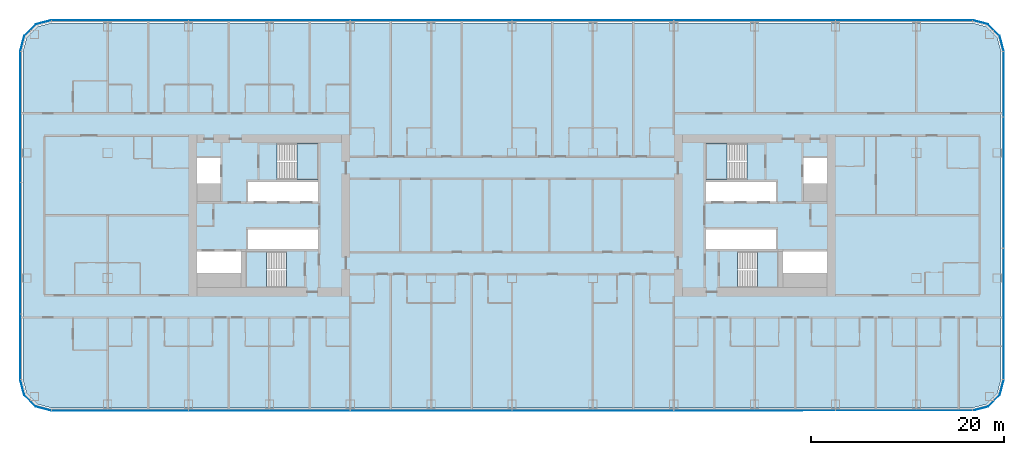
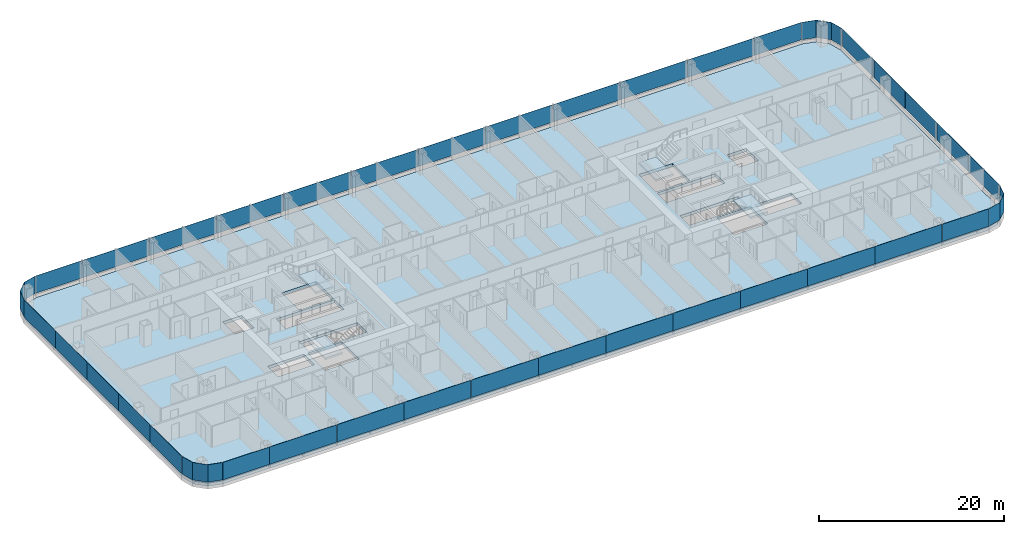
# One storey, part 12 of 29: 38 plates, 5 slabs, 12 elements without a shape of their own.
"""IFC4 building model written with IfcOpenShell, lengths in metres."""

from ifc_helpers import new_model, si_unit, direction, frame, origin, origin_2d, place, context, subcontext, project, spatial, polyline, rectangle, outline, extrude, material, layer, layer_set, type_object, element, aggregate, save


model = new_model("IFC4")

# Units and contexts
model_context = context("Model", 3, precision=1e-05, world=origin(), true_north=direction((0.0, 1.0)))
body_context = subcontext(model_context, "Body", "Model", "MODEL_VIEW")
ifc_project = project(units=[si_unit("LENGTHUNIT", "METRE"), si_unit("AREAUNIT", "SQUARE_METRE"), si_unit("VOLUMEUNIT", "CUBIC_METRE"), si_unit("PLANEANGLEUNIT", "RADIAN"), si_unit("MASSUNIT", "GRAM", prefix="KILO")], contexts=[model_context])

# Site, building, storey
site_placement = place(None, origin())
site = spatial("IfcSite", under=ifc_project, at=site_placement, CompositionType="ELEMENT")
building_placement = place(site_placement, origin())
building = spatial("IfcBuilding", under=site, at=building_placement, Name="Hakoniwa Tower and Hamabe Station Hall", CompositionType="ELEMENT")
storey_placement = place(building_placement, frame((0.0, 0.0, 23.0)))
storey = spatial("IfcBuildingStorey", under=building, at=storey_placement, Name="L05", CompositionType="ELEMENT", Elevation=23.0)

# Stair, slab
ifc_material_1 = material(Name="Concrete C40", Category="concrete")
stair_type = type_object("IfcStairType", Name="ESCAPE STAIR 1800", PredefinedType="HALF_TURN_STAIR", material=ifc_material_1)
stair_1_placement = place(storey_placement, origin())
stair_1 = element("IfcStair", 1, at=stair_1_placement, inside=storey, type_object=stair_type, Name="Escape stair ST-1 L05", PredefinedType="HALF_TURN_STAIR")
ifc_material_2 = material(Name="Concrete C40", Category="concrete")
ifc_layer_1 = layer(ifc_material_2, 0.25)
ifc_layer_set_1 = layer_set([ifc_layer_1], Name="CORE STAIR LANDING 250")
slab_type_1 = type_object("IfcSlabType", Name="CORE STAIR LANDING 250", PredefinedType="LANDING", material=ifc_layer_set_1)
slab_1_placement = place(storey_placement, frame((0.0, 0.0, 1.35009765625)))
slab_1 = element("IfcSlab", 2, at=slab_1_placement, type_object=slab_type_1, Name="ST-1 landing 1", PredefinedType="LANDING", context=body_context, shape_type="SweptSolid", body=[
    extrude(outline(polyline([(-22.320068359375, 3.75), (-20.14990234375, 3.75), (-20.14990234375, 7.5), (-22.320068359375, 7.5), (-22.320068359375, 3.75)])), origin(), (0.0, 0.0, 1.0), 0.25),
])
aggregate(stair_1, [slab_1])

stair_2_placement = place(storey_placement, origin())
stair_2 = element("IfcStair", 3, at=stair_2_placement, inside=storey, type_object=stair_type, Name="Escape stair ST-2 L05", PredefinedType="HALF_TURN_STAIR")
slab_2_placement = place(storey_placement, frame((0.0, 0.0, 1.35009765625)))
slab_2 = element("IfcSlab", 4, at=slab_2_placement, type_object=slab_type_1, Name="ST-2 landing 1", PredefinedType="LANDING", context=body_context, shape_type="SweptSolid", body=[
    extrude(outline(polyline([(-25.47998046875, -7.5), (-27.64990234375, -7.5), (-27.64990234375, -3.75), (-25.47998046875, -3.75), (-25.47998046875, -7.5)])), origin(), (0.0, 0.0, 1.0), 0.25),
])
aggregate(stair_2, [slab_2])

stair_3_placement = place(storey_placement, origin())
stair_3 = element("IfcStair", 5, at=stair_3_placement, inside=storey, type_object=stair_type, Name="Escape stair ST-3 L05", PredefinedType="HALF_TURN_STAIR")
slab_3_placement = place(storey_placement, frame((0.0, 0.0, 1.35009765625)))
slab_3 = element("IfcSlab", 6, at=slab_3_placement, type_object=slab_type_1, Name="ST-3 landing 1", PredefinedType="LANDING", context=body_context, shape_type="SweptSolid", body=[
    extrude(outline(polyline([(22.320068359375, 3.75), (20.14990234375, 3.75), (20.14990234375, 7.5), (22.320068359375, 7.5), (22.320068359375, 3.75)])), origin(), (0.0, 0.0, 1.0), 0.25),
])
aggregate(stair_3, [slab_3])

stair_4_placement = place(storey_placement, origin())
stair_4 = element("IfcStair", 7, at=stair_4_placement, inside=storey, type_object=stair_type, Name="Escape stair ST-4 L05", PredefinedType="HALF_TURN_STAIR")
slab_4_placement = place(storey_placement, frame((0.0, 0.0, 1.35009765625)))
slab_4 = element("IfcSlab", 8, at=slab_4_placement, type_object=slab_type_1, Name="ST-4 landing 1", PredefinedType="LANDING", context=body_context, shape_type="SweptSolid", body=[
    extrude(outline(polyline([(25.47998046875, -7.5), (27.64990234375, -7.5), (27.64990234375, -3.75), (25.47998046875, -3.75), (25.47998046875, -7.5)])), origin(), (0.0, 0.0, 1.0), 0.25),
])
aggregate(stair_4, [slab_4])

# Curtain wall, plates
ifc_material_3 = material(Name="Dark low-e laminated glass", Category="glass")
ifc_layer_2 = layer(ifc_material_3, 0.199951171875)
ifc_layer_set_2 = layer_set([ifc_layer_2], Name="CW-1 UNITISED GUEST")
curtain_wall_type = type_object("IfcCurtainWallType", Name="CW-1 UNITISED GUEST", PredefinedType="NOTDEFINED", material=ifc_layer_set_2)
curtain_wall_1_placement = place(storey_placement, origin())
curtain_wall_1 = element("IfcCurtainWall", 9, at=curtain_wall_1_placement, inside=storey, type_object=curtain_wall_type, Name="CW-1 curtain wall", PredefinedType="NOTDEFINED")
ifc_material_4 = material(Name="Dark low-e laminated glass", Category="glass")
ifc_layer_3 = layer(ifc_material_4, 0.028076171875)
ifc_layer_set_3 = layer_set([ifc_layer_3], Name="CW-1 GLASS UNIT")
plate_type = type_object("IfcPlateType", Name="CW-1 GLASS UNIT", PredefinedType="CURTAIN_PANEL", material=ifc_layer_set_3)
plate_1_placement = place(storey_placement, frame((51.0859375, -13.631591796875, 0.35009765625), z_axis=(0.0, 0.0, 1.0), x_axis=(0.0, 1.0, 0.0)))
plate_1 = element("IfcPlate", 10, at=plate_1_placement, type_object=plate_type, Name="CW-1 glass unit", PredefinedType="CURTAIN_PANEL", context=body_context, shape_type="SweptSolid", body=[
    extrude(rectangle(XDim=6.7958984375, YDim=0.028076171875, at=origin_2d()), origin(), (0.0, 0.0, 1.0), 2.300048828125),
])
plate_2_placement = place(storey_placement, frame((51.0859375, -6.81591796875, 0.35009765625), z_axis=(0.0, 0.0, 1.0), x_axis=(0.0, 1.0, 0.0)))
plate_2 = element("IfcPlate", 11, at=plate_2_placement, type_object=plate_type, Name="CW-1 glass unit", PredefinedType="CURTAIN_PANEL", context=body_context, shape_type="SweptSolid", body=[
    extrude(rectangle(XDim=6.7958984375, YDim=0.028076171875, at=origin_2d()), origin(), (0.0, 0.0, 1.0), 2.300048828125),
])
plate_3_placement = place(storey_placement, frame((51.0859375, 0.0, 0.35009765625), z_axis=(0.0, 0.0, 1.0), x_axis=(0.0, 1.0, 0.0)))
plate_3 = element("IfcPlate", 12, at=plate_3_placement, type_object=plate_type, Name="CW-1 glass unit", PredefinedType="CURTAIN_PANEL", context=body_context, shape_type="SweptSolid", body=[
    extrude(rectangle(XDim=6.7958984375, YDim=0.028076171875, at=origin_2d()), origin(), (0.0, 0.0, 1.0), 2.300048828125),
])
plate_4_placement = place(storey_placement, frame((51.0859375, 6.81591796875, 0.35009765625), z_axis=(0.0, 0.0, 1.0), x_axis=(0.0, 1.0, 0.0)))
plate_4 = element("IfcPlate", 13, at=plate_4_placement, type_object=plate_type, Name="CW-1 glass unit", PredefinedType="CURTAIN_PANEL", context=body_context, shape_type="SweptSolid", body=[
    extrude(rectangle(XDim=6.7958984375, YDim=0.028076171875, at=origin_2d()), origin(), (0.0, 0.0, 1.0), 2.300048828125),
])
plate_5_placement = place(storey_placement, frame((51.0859375, 13.631591796875, 0.35009765625), z_axis=(0.0, 0.0, 1.0), x_axis=(0.0, 1.0, 0.0)))
plate_5 = element("IfcPlate", 14, at=plate_5_placement, type_object=plate_type, Name="CW-1 glass unit", PredefinedType="CURTAIN_PANEL", context=body_context, shape_type="SweptSolid", body=[
    extrude(rectangle(XDim=6.7958984375, YDim=0.028076171875, at=origin_2d()), origin(), (0.0, 0.0, 1.0), 2.300048828125),
])
aggregate(curtain_wall_1, [plate_1, plate_2, plate_3, plate_4, plate_5])

# Curtain wall, plate
curtain_wall_2_placement = place(storey_placement, origin())
curtain_wall_2 = element("IfcCurtainWall", 15, at=curtain_wall_2_placement, inside=storey, type_object=curtain_wall_type, Name="CW-1 curtain wall", PredefinedType="NOTDEFINED")
plate_6_placement = place(storey_placement, frame((0.0, 0.0, 0.35009765625)))
plate_6 = element("IfcPlate", 16, at=plate_6_placement, type_object=plate_type, Name="CW-1 curved corner unit", PredefinedType="CURTAIN_PANEL", context=body_context, shape_type="SweptSolid", body=[
    extrude(outline(polyline([(51.089599609375, 17.078125), (50.6669921875, 18.6552734375), (49.455322265625, 19.866943359375), (47.878173828125, 20.28955078125), (47.870849609375, 20.2626953125), (49.44091796875, 19.842041015625), (50.641845703125, 18.640869140625), (51.0625, 17.07080078125), (51.089599609375, 17.078125)])), origin(), (0.0, 0.0, 1.0), 2.2998046875),
])
aggregate(curtain_wall_2, [plate_6])

# Curtain wall, plates
curtain_wall_3_placement = place(storey_placement, origin())
curtain_wall_3 = element("IfcCurtainWall", 17, at=curtain_wall_3_placement, inside=storey, type_object=curtain_wall_type, Name="CW-1 curtain wall", PredefinedType="NOTDEFINED")
plate_7_placement = place(storey_placement, frame((44.919677734375, 20.285888671875, 0.35009765625), z_axis=(0.0, 0.0, 1.0), x_axis=(-1.0, 0.0, 0.0)))
plate_7 = element("IfcPlate", 18, at=plate_7_placement, type_object=plate_type, Name="CW-1 glass unit", PredefinedType="CURTAIN_PANEL", context=body_context, shape_type="SweptSolid", body=[
    extrude(rectangle(XDim=5.819580078125, YDim=0.028076171875, at=origin_2d()), origin(), (0.0, 0.0, 1.0), 2.300048828125),
])
plate_8_placement = place(storey_placement, frame((37.800048828125, 20.285888671875, 0.35009765625), z_axis=(0.0, 0.0, 1.0), x_axis=(-1.0, 0.0, 0.0)))
plate_8 = element("IfcPlate", 19, at=plate_8_placement, type_object=plate_type, Name="CW-1 glass unit", PredefinedType="CURTAIN_PANEL", context=body_context, shape_type="SweptSolid", body=[
    extrude(rectangle(XDim=8.3798828125, YDim=0.028076171875, at=origin_2d()), origin(), (0.0, 0.0, 1.0), 2.300048828125),
])
plate_9_placement = place(storey_placement, frame((29.39990234375, 20.285888671875, 0.35009765625), z_axis=(0.0, 0.0, 1.0), x_axis=(-1.0, 0.0, 0.0)))
plate_9 = element("IfcPlate", 20, at=plate_9_placement, type_object=plate_type, Name="CW-1 glass unit", PredefinedType="CURTAIN_PANEL", context=body_context, shape_type="SweptSolid", body=[
    extrude(rectangle(XDim=8.3798828125, YDim=0.028076171875, at=origin_2d()), origin(), (0.0, 0.0, 1.0), 2.300048828125),
])
plate_10_placement = place(storey_placement, frame((21.0, 20.285888671875, 0.35009765625), z_axis=(0.0, 0.0, 1.0), x_axis=(-1.0, 0.0, 0.0)))
plate_10 = element("IfcPlate", 21, at=plate_10_placement, type_object=plate_type, Name="CW-1 glass unit", PredefinedType="CURTAIN_PANEL", context=body_context, shape_type="SweptSolid", body=[
    extrude(rectangle(XDim=8.3798828125, YDim=0.028076171875, at=origin_2d()), origin(), (0.0, 0.0, 1.0), 2.300048828125),
])
plate_11_placement = place(storey_placement, frame((12.60009765625, 20.285888671875, 0.35009765625), z_axis=(0.0, 0.0, 1.0), x_axis=(-1.0, 0.0, 0.0)))
plate_11 = element("IfcPlate", 22, at=plate_11_placement, type_object=plate_type, Name="CW-1 glass unit", PredefinedType="CURTAIN_PANEL", context=body_context, shape_type="SweptSolid", body=[
    extrude(rectangle(XDim=8.3798828125, YDim=0.028076171875, at=origin_2d()), origin(), (0.0, 0.0, 1.0), 2.300048828125),
])
plate_12_placement = place(storey_placement, frame((4.199951171875, 20.285888671875, 0.35009765625), z_axis=(0.0, 0.0, 1.0), x_axis=(-1.0, 0.0, 0.0)))
plate_12 = element("IfcPlate", 23, at=plate_12_placement, type_object=plate_type, Name="CW-1 glass unit", PredefinedType="CURTAIN_PANEL", context=body_context, shape_type="SweptSolid", body=[
    extrude(rectangle(XDim=8.3798828125, YDim=0.028076171875, at=origin_2d()), origin(), (0.0, 0.0, 1.0), 2.300048828125),
])
plate_13_placement = place(storey_placement, frame((-4.199951171875, 20.285888671875, 0.35009765625), z_axis=(0.0, 0.0, 1.0), x_axis=(-1.0, 0.0, 0.0)))
plate_13 = element("IfcPlate", 24, at=plate_13_placement, type_object=plate_type, Name="CW-1 glass unit", PredefinedType="CURTAIN_PANEL", context=body_context, shape_type="SweptSolid", body=[
    extrude(rectangle(XDim=8.3798828125, YDim=0.028076171875, at=origin_2d()), origin(), (0.0, 0.0, 1.0), 2.300048828125),
])
plate_14_placement = place(storey_placement, frame((-12.60009765625, 20.285888671875, 0.35009765625), z_axis=(0.0, 0.0, 1.0), x_axis=(-1.0, 0.0, 0.0)))
plate_14 = element("IfcPlate", 25, at=plate_14_placement, type_object=plate_type, Name="CW-1 glass unit", PredefinedType="CURTAIN_PANEL", context=body_context, shape_type="SweptSolid", body=[
    extrude(rectangle(XDim=8.3798828125, YDim=0.028076171875, at=origin_2d()), origin(), (0.0, 0.0, 1.0), 2.300048828125),
])
plate_15_placement = place(storey_placement, frame((-21.0, 20.285888671875, 0.35009765625), z_axis=(0.0, 0.0, 1.0), x_axis=(-1.0, 0.0, 0.0)))
plate_15 = element("IfcPlate", 26, at=plate_15_placement, type_object=plate_type, Name="CW-1 glass unit", PredefinedType="CURTAIN_PANEL", context=body_context, shape_type="SweptSolid", body=[
    extrude(rectangle(XDim=8.3798828125, YDim=0.028076171875, at=origin_2d()), origin(), (0.0, 0.0, 1.0), 2.300048828125),
])
plate_16_placement = place(storey_placement, frame((-29.39990234375, 20.285888671875, 0.35009765625), z_axis=(0.0, 0.0, 1.0), x_axis=(-1.0, 0.0, 0.0)))
plate_16 = element("IfcPlate", 27, at=plate_16_placement, type_object=plate_type, Name="CW-1 glass unit", PredefinedType="CURTAIN_PANEL", context=body_context, shape_type="SweptSolid", body=[
    extrude(rectangle(XDim=8.3798828125, YDim=0.028076171875, at=origin_2d()), origin(), (0.0, 0.0, 1.0), 2.300048828125),
])
plate_17_placement = place(storey_placement, frame((-37.800048828125, 20.285888671875, 0.35009765625), z_axis=(0.0, 0.0, 1.0), x_axis=(-1.0, 0.0, 0.0)))
plate_17 = element("IfcPlate", 28, at=plate_17_placement, type_object=plate_type, Name="CW-1 glass unit", PredefinedType="CURTAIN_PANEL", context=body_context, shape_type="SweptSolid", body=[
    extrude(rectangle(XDim=8.3798828125, YDim=0.028076171875, at=origin_2d()), origin(), (0.0, 0.0, 1.0), 2.300048828125),
])
plate_18_placement = place(storey_placement, frame((-44.919677734375, 20.285888671875, 0.35009765625), z_axis=(0.0, 0.0, 1.0), x_axis=(-1.0, 0.0, 0.0)))
plate_18 = element("IfcPlate", 29, at=plate_18_placement, type_object=plate_type, Name="CW-1 glass unit", PredefinedType="CURTAIN_PANEL", context=body_context, shape_type="SweptSolid", body=[
    extrude(rectangle(XDim=5.819580078125, YDim=0.028076171875, at=origin_2d()), origin(), (0.0, 0.0, 1.0), 2.300048828125),
])
aggregate(curtain_wall_3, [plate_7, plate_8, plate_9, plate_10, plate_11, plate_12, plate_13, plate_14, plate_15, plate_16, plate_17, plate_18])

# Curtain wall, plate
curtain_wall_4_placement = place(storey_placement, origin())
curtain_wall_4 = element("IfcCurtainWall", 30, at=curtain_wall_4_placement, inside=storey, type_object=curtain_wall_type, Name="CW-1 curtain wall", PredefinedType="NOTDEFINED")
plate_19_placement = place(storey_placement, frame((0.0, 0.0, 0.35009765625)))
plate_19 = element("IfcPlate", 31, at=plate_19_placement, type_object=plate_type, Name="CW-1 curved corner unit", PredefinedType="CURTAIN_PANEL", context=body_context, shape_type="SweptSolid", body=[
    extrude(outline(polyline([(-47.878173828125, 20.28955078125), (-49.455322265625, 19.866943359375), (-50.6669921875, 18.6552734375), (-51.089599609375, 17.078125), (-51.0625, 17.07080078125), (-50.641845703125, 18.640869140625), (-49.44091796875, 19.842041015625), (-47.870849609375, 20.2626953125), (-47.878173828125, 20.28955078125)])), origin(), (0.0, 0.0, 1.0), 2.2998046875),
])
aggregate(curtain_wall_4, [plate_19])

# Curtain wall, plates
curtain_wall_5_placement = place(storey_placement, origin())
curtain_wall_5 = element("IfcCurtainWall", 32, at=curtain_wall_5_placement, inside=storey, type_object=curtain_wall_type, Name="CW-1 curtain wall", PredefinedType="NOTDEFINED")
plate_20_placement = place(storey_placement, frame((-51.0859375, 13.631591796875, 0.35009765625), z_axis=(0.0, 0.0, 1.0), x_axis=(0.0, -1.0, 0.0)))
plate_20 = element("IfcPlate", 33, at=plate_20_placement, type_object=plate_type, Name="CW-1 glass unit", PredefinedType="CURTAIN_PANEL", context=body_context, shape_type="SweptSolid", body=[
    extrude(rectangle(XDim=6.7958984375, YDim=0.028076171875, at=origin_2d()), origin(), (0.0, 0.0, 1.0), 2.300048828125),
])
plate_21_placement = place(storey_placement, frame((-51.0859375, 6.81591796875, 0.35009765625), z_axis=(0.0, 0.0, 1.0), x_axis=(0.0, -1.0, 0.0)))
plate_21 = element("IfcPlate", 34, at=plate_21_placement, type_object=plate_type, Name="CW-1 glass unit", PredefinedType="CURTAIN_PANEL", context=body_context, shape_type="SweptSolid", body=[
    extrude(rectangle(XDim=6.7958984375, YDim=0.028076171875, at=origin_2d()), origin(), (0.0, 0.0, 1.0), 2.300048828125),
])
plate_22_placement = place(storey_placement, frame((-51.0859375, 0.0, 0.35009765625), z_axis=(0.0, 0.0, 1.0), x_axis=(0.0, -1.0, 0.0)))
plate_22 = element("IfcPlate", 35, at=plate_22_placement, type_object=plate_type, Name="CW-1 glass unit", PredefinedType="CURTAIN_PANEL", context=body_context, shape_type="SweptSolid", body=[
    extrude(rectangle(XDim=6.7958984375, YDim=0.028076171875, at=origin_2d()), origin(), (0.0, 0.0, 1.0), 2.300048828125),
])
plate_23_placement = place(storey_placement, frame((-51.0859375, -6.81591796875, 0.35009765625), z_axis=(0.0, 0.0, 1.0), x_axis=(0.0, -1.0, 0.0)))
plate_23 = element("IfcPlate", 36, at=plate_23_placement, type_object=plate_type, Name="CW-1 glass unit", PredefinedType="CURTAIN_PANEL", context=body_context, shape_type="SweptSolid", body=[
    extrude(rectangle(XDim=6.7958984375, YDim=0.028076171875, at=origin_2d()), origin(), (0.0, 0.0, 1.0), 2.300048828125),
])
plate_24_placement = place(storey_placement, frame((-51.0859375, -13.631591796875, 0.35009765625), z_axis=(0.0, 0.0, 1.0), x_axis=(0.0, -1.0, 0.0)))
plate_24 = element("IfcPlate", 37, at=plate_24_placement, type_object=plate_type, Name="CW-1 glass unit", PredefinedType="CURTAIN_PANEL", context=body_context, shape_type="SweptSolid", body=[
    extrude(rectangle(XDim=6.7958984375, YDim=0.028076171875, at=origin_2d()), origin(), (0.0, 0.0, 1.0), 2.300048828125),
])
aggregate(curtain_wall_5, [plate_20, plate_21, plate_22, plate_23, plate_24])

# Curtain wall, plate
curtain_wall_6_placement = place(storey_placement, origin())
curtain_wall_6 = element("IfcCurtainWall", 38, at=curtain_wall_6_placement, inside=storey, type_object=curtain_wall_type, Name="CW-1 curtain wall", PredefinedType="NOTDEFINED")
plate_25_placement = place(storey_placement, frame((0.0, 0.0, 0.35009765625)))
plate_25 = element("IfcPlate", 39, at=plate_25_placement, type_object=plate_type, Name="CW-1 curved corner unit", PredefinedType="CURTAIN_PANEL", context=body_context, shape_type="SweptSolid", body=[
    extrude(outline(polyline([(-51.089599609375, -17.078125), (-50.6669921875, -18.6552734375), (-49.455322265625, -19.866943359375), (-47.878173828125, -20.28955078125), (-47.870849609375, -20.2626953125), (-49.44091796875, -19.842041015625), (-50.641845703125, -18.640869140625), (-51.0625, -17.07080078125), (-51.089599609375, -17.078125)])), origin(), (0.0, 0.0, 1.0), 2.2998046875),
])
aggregate(curtain_wall_6, [plate_25])

# Curtain wall, plates
curtain_wall_7_placement = place(storey_placement, origin())
curtain_wall_7 = element("IfcCurtainWall", 40, at=curtain_wall_7_placement, inside=storey, type_object=curtain_wall_type, Name="CW-1 curtain wall", PredefinedType="NOTDEFINED")
plate_26_placement = place(storey_placement, frame((-44.919677734375, -20.285888671875, 0.35009765625), z_axis=(0.0, 0.0, 1.0), x_axis=(1.0, 0.0, 0.0)))
plate_26 = element("IfcPlate", 41, at=plate_26_placement, type_object=plate_type, Name="CW-1 glass unit", PredefinedType="CURTAIN_PANEL", context=body_context, shape_type="SweptSolid", body=[
    extrude(rectangle(XDim=5.819580078125, YDim=0.028076171875, at=origin_2d()), origin(), (0.0, 0.0, 1.0), 2.300048828125),
])
plate_27_placement = place(storey_placement, frame((-37.800048828125, -20.285888671875, 0.35009765625), z_axis=(0.0, 0.0, 1.0), x_axis=(1.0, 0.0, 0.0)))
plate_27 = element("IfcPlate", 42, at=plate_27_placement, type_object=plate_type, Name="CW-1 glass unit", PredefinedType="CURTAIN_PANEL", context=body_context, shape_type="SweptSolid", body=[
    extrude(rectangle(XDim=8.3798828125, YDim=0.028076171875, at=origin_2d()), origin(), (0.0, 0.0, 1.0), 2.300048828125),
])
plate_28_placement = place(storey_placement, frame((-29.39990234375, -20.285888671875, 0.35009765625), z_axis=(0.0, 0.0, 1.0), x_axis=(1.0, 0.0, 0.0)))
plate_28 = element("IfcPlate", 43, at=plate_28_placement, type_object=plate_type, Name="CW-1 glass unit", PredefinedType="CURTAIN_PANEL", context=body_context, shape_type="SweptSolid", body=[
    extrude(rectangle(XDim=8.3798828125, YDim=0.028076171875, at=origin_2d()), origin(), (0.0, 0.0, 1.0), 2.300048828125),
])
plate_29_placement = place(storey_placement, frame((-21.0, -20.285888671875, 0.35009765625), z_axis=(0.0, 0.0, 1.0), x_axis=(1.0, 0.0, 0.0)))
plate_29 = element("IfcPlate", 44, at=plate_29_placement, type_object=plate_type, Name="CW-1 glass unit", PredefinedType="CURTAIN_PANEL", context=body_context, shape_type="SweptSolid", body=[
    extrude(rectangle(XDim=8.3798828125, YDim=0.028076171875, at=origin_2d()), origin(), (0.0, 0.0, 1.0), 2.300048828125),
])
plate_30_placement = place(storey_placement, frame((-12.60009765625, -20.285888671875, 0.35009765625), z_axis=(0.0, 0.0, 1.0), x_axis=(1.0, 0.0, 0.0)))
plate_30 = element("IfcPlate", 45, at=plate_30_placement, type_object=plate_type, Name="CW-1 glass unit", PredefinedType="CURTAIN_PANEL", context=body_context, shape_type="SweptSolid", body=[
    extrude(rectangle(XDim=8.3798828125, YDim=0.028076171875, at=origin_2d()), origin(), (0.0, 0.0, 1.0), 2.300048828125),
])
plate_31_placement = place(storey_placement, frame((-4.199951171875, -20.285888671875, 0.35009765625), z_axis=(0.0, 0.0, 1.0), x_axis=(1.0, 0.0, 0.0)))
plate_31 = element("IfcPlate", 46, at=plate_31_placement, type_object=plate_type, Name="CW-1 glass unit", PredefinedType="CURTAIN_PANEL", context=body_context, shape_type="SweptSolid", body=[
    extrude(rectangle(XDim=8.3798828125, YDim=0.028076171875, at=origin_2d()), origin(), (0.0, 0.0, 1.0), 2.300048828125),
])
plate_32_placement = place(storey_placement, frame((4.199951171875, -20.285888671875, 0.35009765625), z_axis=(0.0, 0.0, 1.0), x_axis=(1.0, 0.0, 0.0)))
plate_32 = element("IfcPlate", 47, at=plate_32_placement, type_object=plate_type, Name="CW-1 glass unit", PredefinedType="CURTAIN_PANEL", context=body_context, shape_type="SweptSolid", body=[
    extrude(rectangle(XDim=8.3798828125, YDim=0.028076171875, at=origin_2d()), origin(), (0.0, 0.0, 1.0), 2.300048828125),
])
plate_33_placement = place(storey_placement, frame((12.60009765625, -20.285888671875, 0.35009765625), z_axis=(0.0, 0.0, 1.0), x_axis=(1.0, 0.0, 0.0)))
plate_33 = element("IfcPlate", 48, at=plate_33_placement, type_object=plate_type, Name="CW-1 glass unit", PredefinedType="CURTAIN_PANEL", context=body_context, shape_type="SweptSolid", body=[
    extrude(rectangle(XDim=8.3798828125, YDim=0.028076171875, at=origin_2d()), origin(), (0.0, 0.0, 1.0), 2.300048828125),
])
plate_34_placement = place(storey_placement, frame((21.0, -20.285888671875, 0.35009765625), z_axis=(0.0, 0.0, 1.0), x_axis=(1.0, 0.0, 0.0)))
plate_34 = element("IfcPlate", 49, at=plate_34_placement, type_object=plate_type, Name="CW-1 glass unit", PredefinedType="CURTAIN_PANEL", context=body_context, shape_type="SweptSolid", body=[
    extrude(rectangle(XDim=8.3798828125, YDim=0.028076171875, at=origin_2d()), origin(), (0.0, 0.0, 1.0), 2.300048828125),
])
plate_35_placement = place(storey_placement, frame((29.39990234375, -20.285888671875, 0.35009765625), z_axis=(0.0, 0.0, 1.0), x_axis=(1.0, 0.0, 0.0)))
plate_35 = element("IfcPlate", 50, at=plate_35_placement, type_object=plate_type, Name="CW-1 glass unit", PredefinedType="CURTAIN_PANEL", context=body_context, shape_type="SweptSolid", body=[
    extrude(rectangle(XDim=8.3798828125, YDim=0.028076171875, at=origin_2d()), origin(), (0.0, 0.0, 1.0), 2.300048828125),
])
plate_36_placement = place(storey_placement, frame((37.800048828125, -20.285888671875, 0.35009765625), z_axis=(0.0, 0.0, 1.0), x_axis=(1.0, 0.0, 0.0)))
plate_36 = element("IfcPlate", 51, at=plate_36_placement, type_object=plate_type, Name="CW-1 glass unit", PredefinedType="CURTAIN_PANEL", context=body_context, shape_type="SweptSolid", body=[
    extrude(rectangle(XDim=8.3798828125, YDim=0.028076171875, at=origin_2d()), origin(), (0.0, 0.0, 1.0), 2.300048828125),
])
plate_37_placement = place(storey_placement, frame((44.919677734375, -20.285888671875, 0.35009765625), z_axis=(0.0, 0.0, 1.0), x_axis=(1.0, 0.0, 0.0)))
plate_37 = element("IfcPlate", 52, at=plate_37_placement, type_object=plate_type, Name="CW-1 glass unit", PredefinedType="CURTAIN_PANEL", context=body_context, shape_type="SweptSolid", body=[
    extrude(rectangle(XDim=5.819580078125, YDim=0.028076171875, at=origin_2d()), origin(), (0.0, 0.0, 1.0), 2.300048828125),
])
aggregate(curtain_wall_7, [plate_26, plate_27, plate_28, plate_29, plate_30, plate_31, plate_32, plate_33, plate_34, plate_35, plate_36, plate_37])

# Curtain wall, plate
curtain_wall_8_placement = place(storey_placement, origin())
curtain_wall_8 = element("IfcCurtainWall", 53, at=curtain_wall_8_placement, inside=storey, type_object=curtain_wall_type, Name="CW-1 curtain wall", PredefinedType="NOTDEFINED")
plate_38_placement = place(storey_placement, frame((0.0, 0.0, 0.35009765625)))
plate_38 = element("IfcPlate", 54, at=plate_38_placement, type_object=plate_type, Name="CW-1 curved corner unit", PredefinedType="CURTAIN_PANEL", context=body_context, shape_type="SweptSolid", body=[
    extrude(outline(polyline([(47.878173828125, -20.28955078125), (49.455322265625, -19.866943359375), (50.6669921875, -18.6552734375), (51.089599609375, -17.078125), (51.0625, -17.07080078125), (50.641845703125, -18.640869140625), (49.44091796875, -19.842041015625), (47.870849609375, -20.2626953125), (47.878173828125, -20.28955078125)])), origin(), (0.0, 0.0, 1.0), 2.2998046875),
])
aggregate(curtain_wall_8, [plate_38])

# Slab
ifc_material_5 = material(Name="Concrete C42", Category="concrete")
ifc_layer_4 = layer(ifc_material_5, 0.39990234375)
ifc_layer_set_4 = layer_set([ifc_layer_4], Name="PT FLAT PLATE 400")
slab_type_2 = type_object("IfcSlabType", Name="PT FLAT PLATE 400", PredefinedType="FLOOR", material=ifc_layer_set_4)
slab_5_placement = place(storey_placement, frame((0.0, 0.0, -0.39990234375)))
element("IfcSlab", 55, at=slab_5_placement, inside=storey, type_object=slab_type_2, Name="Floor slab L05", PredefinedType="FLOOR", context=body_context, shape_type="SweptSolid", body=[
    extrude(outline(polyline([(50.800048828125, -17.0), (50.800048828125, 17.0), (50.398193359375, 18.5), (49.300048828125, 19.59814453125), (47.800048828125, 20.0), (-47.800048828125, 20.0), (-49.300048828125, 19.59814453125), (-50.398193359375, 18.5), (-50.800048828125, 17.0), (-50.800048828125, -17.0), (-50.398193359375, -18.5), (-49.300048828125, -19.59814453125), (-47.800048828125, -20.0), (47.800048828125, -20.0), (49.300048828125, -19.59814453125), (50.398193359375, -18.5), (50.800048828125, -17.0)]), holes=[polyline([(-27.39990234375, 1.449951171875), (-27.39990234375, 3.5), (-20.14990234375, 3.5), (-20.14990234375, 1.449951171875), (-27.39990234375, 1.449951171875)]), polyline([(-27.39990234375, -3.5), (-27.39990234375, -1.449951171875), (-20.14990234375, -1.449951171875), (-20.14990234375, -3.5), (-27.39990234375, -3.5)]), polyline([(-32.699951171875, 3.300048828125), (-32.699951171875, 5.949951171875), (-30.300048828125, 5.949951171875), (-30.300048828125, 3.300048828125), (-32.699951171875, 3.300048828125)]), polyline([(-32.699951171875, -6.0), (-32.699951171875, -3.75), (-28.14990234375, -3.75), (-28.14990234375, -6.0), (-32.699951171875, -6.0)]), polyline([(-24.389892578125, 3.75), (-24.389892578125, 7.5), (-20.14990234375, 7.5), (-20.14990234375, 3.75), (-24.389892578125, 3.75)]), polyline([(-27.64990234375, -7.5), (-27.64990234375, -3.75), (-23.409912109375, -3.75), (-23.409912109375, -7.5), (-27.64990234375, -7.5)]), polyline([(20.14990234375, 1.449951171875), (20.14990234375, 3.5), (27.39990234375, 3.5), (27.39990234375, 1.449951171875), (20.14990234375, 1.449951171875)]), polyline([(20.14990234375, -3.5), (20.14990234375, -1.449951171875), (27.39990234375, -1.449951171875), (27.39990234375, -3.5), (20.14990234375, -3.5)]), polyline([(30.300048828125, 3.300048828125), (30.300048828125, 5.949951171875), (32.699951171875, 5.949951171875), (32.699951171875, 3.300048828125), (30.300048828125, 3.300048828125)]), polyline([(28.14990234375, -6.0), (28.14990234375, -3.75), (32.699951171875, -3.75), (32.699951171875, -6.0), (28.14990234375, -6.0)]), polyline([(20.14990234375, 3.75), (20.14990234375, 7.5), (24.389892578125, 7.5), (24.389892578125, 3.75), (20.14990234375, 3.75)]), polyline([(23.409912109375, -7.5), (23.409912109375, -3.75), (27.64990234375, -3.75), (27.64990234375, -7.5), (23.409912109375, -7.5)])]), origin(), (0.0, 0.0, 1.0), 0.39990234375),
])

save(model, "model.ifc")
